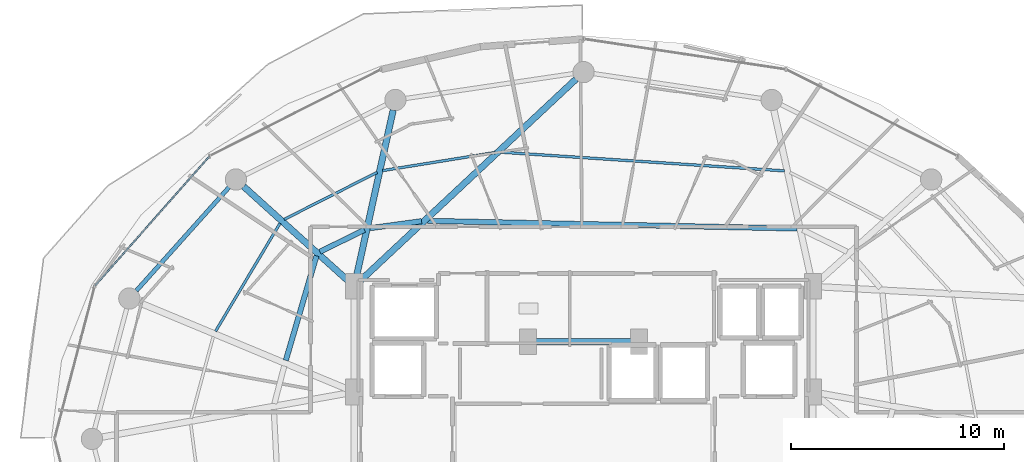
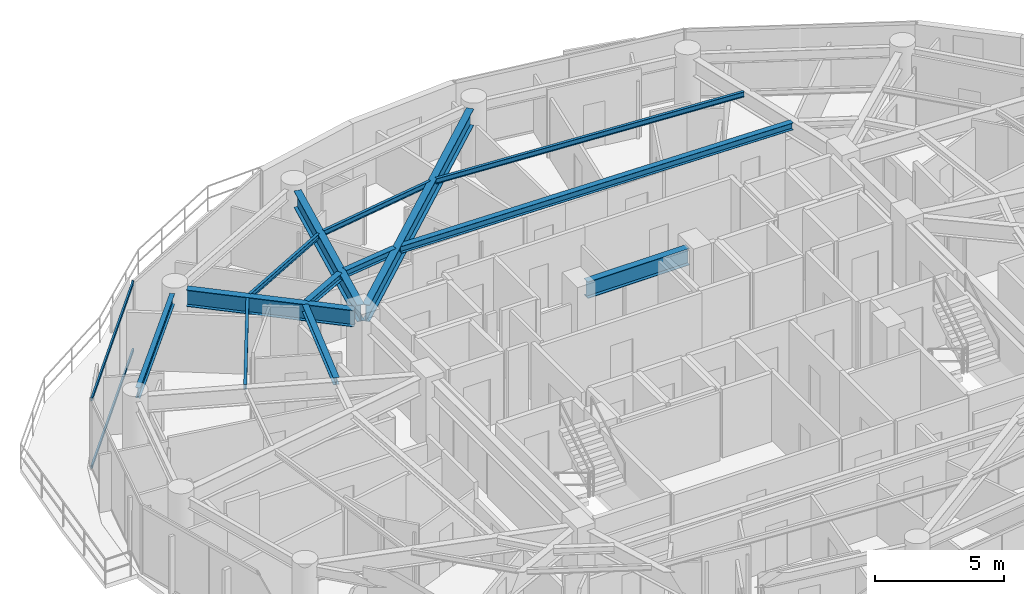
# One storey, part 10 of 30: 13 beams, 2 members, 1 element without a shape of its own.
"""IFC4 building model written with IfcOpenShell, lengths in metres."""

from ifc_helpers import new_model, si_unit, direction, frame, origin, origin_2d, place, context, subcontext, project, spatial, hollow_rectangle, i_section, extrude, material, material_profile, profile_set, type_object, element, aggregate, save


model = new_model("IFC4")

# Units and contexts
model_context = context("Model", 3, precision=1e-05, world=origin(), true_north=direction((0.0, 1.0)))
body_context = subcontext(model_context, "Body", "Model", "MODEL_VIEW")
ifc_project = project(units=[si_unit("LENGTHUNIT", "METRE"), si_unit("AREAUNIT", "SQUARE_METRE"), si_unit("VOLUMEUNIT", "CUBIC_METRE"), si_unit("PLANEANGLEUNIT", "RADIAN"), si_unit("MASSUNIT", "GRAM", prefix="KILO")], contexts=[model_context])

# Site, building, storey
site_placement = place(None, origin())
site = spatial("IfcSite", under=ifc_project, at=site_placement, CompositionType="ELEMENT")
building_placement = place(site_placement, origin())
building = spatial("IfcBuilding", under=site, at=building_placement, Name="Vorneva Point Tower", CompositionType="ELEMENT")
storey_placement = place(building_placement, frame((0.0, 0.0, 153.60009765625)))
storey = spatial("IfcBuildingStorey", under=building, at=storey_placement, Name="L41", CompositionType="ELEMENT", Elevation=153.60009765625)

# Beams
ifc_material_1 = material(Name="Steel S355", Category="steel")
ifc_material_profile_1 = material_profile(ifc_material_1, i_section(OverallWidth=0.300048828125, OverallDepth=0.7880859375, WebThickness=0.014404296875, FlangeThickness=0.02197265625, at=origin_2d()), Name="80Sh1")
ifc_profile_set_1 = profile_set([ifc_material_profile_1], Name="Steel S355")
beam_type_1 = type_object("IfcBeamType", Name="BM-GRD-80Sh1", PredefinedType="USERDEFINED", material=ifc_profile_set_1)
beam_1_placement = place(storey_placement, frame((37.6435546875, 42.86669921875, 2.845947265625), z_axis=(-0.730490907119, -0.682922422107, 0.0), x_axis=(0.682922422107, -0.730490907119, 0.0)))
element("IfcBeam", 1, at=beam_1_placement, inside=storey, type_object=beam_type_1, Name="L41 Radial Primary Girder 05", ObjectType="GIRDER", PredefinedType="USERDEFINED", context=body_context, shape_type="SweptSolid", body=[
    extrude(i_section(OverallWidth=0.300048828125, OverallDepth=0.7880859375, WebThickness=0.014404296875, FlangeThickness=0.02197265625, at=origin_2d()), origin(), (0.0, 0.0, 1.0), 13.88818359375),
])
beam_2_placement = place(storey_placement, frame((29.073974609375, 41.414306640625, 2.845947265625), z_axis=(-0.215520500859, -0.976499315775, 0.0), x_axis=(0.976499315775, -0.215520500859, 0.0)))
element("IfcBeam", 2, at=beam_2_placement, inside=storey, type_object=beam_type_1, Name="L41 Radial Primary Girder 06", ObjectType="GIRDER", PredefinedType="USERDEFINED", context=body_context, shape_type="SweptSolid", body=[
    extrude(i_section(OverallWidth=0.300048828125, OverallDepth=0.7880859375, WebThickness=0.014404296875, FlangeThickness=0.02197265625, at=origin_2d()), origin(), (0.0, 0.0, 1.0), 8.123291015625),
])
beam_3_placement = place(storey_placement, frame((22.063232421875, 37.835205078125, 2.845947265625), z_axis=(0.742084379637, -0.670306477292, 0.0), x_axis=(0.670306477292, 0.742084379637, 0.0)))
element("IfcBeam", 3, at=beam_3_placement, inside=storey, type_object=beam_type_1, Name="L41 Radial Primary Girder 07", ObjectType="GIRDER", PredefinedType="USERDEFINED", context=body_context, shape_type="SweptSolid", body=[
    extrude(i_section(OverallWidth=0.300048828125, OverallDepth=0.7880859375, WebThickness=0.014404296875, FlangeThickness=0.02197265625, at=origin_2d()), origin(), (0.0, 0.0, 1.0), 6.649658203125),
])
beam_4_placement = place(storey_placement, frame((35.719970703125, 30.550048828125, 2.845947265625), z_axis=(1.0, 0.0, 0.0), x_axis=(0.0, 1.0, 0.0)))
element("IfcBeam", 4, at=beam_4_placement, inside=storey, type_object=beam_type_1, Name="L41 Core Tie Girder CT8", ObjectType="GIRDER", PredefinedType="USERDEFINED", context=body_context, shape_type="SweptSolid", body=[
    extrude(i_section(OverallWidth=0.300048828125, OverallDepth=0.7880859375, WebThickness=0.014404296875, FlangeThickness=0.02197265625, at=origin_2d()), origin(), (0.0, 0.0, 1.0), 4.56005859375),
])
ifc_material_profile_2 = material_profile(ifc_material_1, i_section(OverallWidth=0.1240234375, OverallDepth=0.248046875, WebThickness=0.0048828125, FlangeThickness=0.008056640625, at=origin_2d()), Name="25B1")
ifc_profile_set_2 = profile_set([ifc_material_profile_2], Name="Steel S355")
beam_type_2 = type_object("IfcBeamType", Name="BM-JST-25B1", PredefinedType="JOIST", material=ifc_profile_set_2)
beam_5_placement = place(storey_placement, frame((47.418701171875, 38.567626953125, 3.115966796875), z_axis=(-0.997837165049, 0.065734253217, 0.0), x_axis=(-0.065734253217, -0.997837165049, 0.0)))
element("IfcBeam", 5, at=beam_5_placement, inside=storey, type_object=beam_type_2, Name="L41 Secondary Floor Beam 1.04", PredefinedType="JOIST", context=body_context, shape_type="SweptSolid", body=[
    extrude(i_section(OverallWidth=0.1240234375, OverallDepth=0.248046875, WebThickness=0.0048828125, FlangeThickness=0.008056640625, at=origin_2d()), origin(), (0.0, 0.0, 1.0), 13.318603515625),
])
beam_6_placement = place(storey_placement, frame((33.85498046875, 39.430419921875, 3.115966796875), z_axis=(-0.987269836001, -0.159054301806, 0.0), x_axis=(0.159054301806, -0.987269836001, 0.0)))
element("IfcBeam", 6, at=beam_6_placement, inside=storey, type_object=beam_type_2, Name="L41 Secondary Floor Beam 1.05", PredefinedType="JOIST", context=body_context, shape_type="SweptSolid", body=[
    extrude(i_section(OverallWidth=0.1240234375, OverallDepth=0.248046875, WebThickness=0.0048828125, FlangeThickness=0.008056640625, at=origin_2d()), origin(), (0.0, 0.0, 1.0), 5.34326171875),
])
beam_7_placement = place(storey_placement, frame((28.320556640625, 38.496337890625, 3.115966796875), z_axis=(-0.892388118376, -0.451268707292, 0.0), x_axis=(0.451268707292, -0.892388118376, 0.0)))
element("IfcBeam", 7, at=beam_7_placement, inside=storey, type_object=beam_type_2, Name="L41 Secondary Floor Beam 1.06", PredefinedType="JOIST", context=body_context, shape_type="SweptSolid", body=[
    extrude(i_section(OverallWidth=0.1240234375, OverallDepth=0.248046875, WebThickness=0.0048828125, FlangeThickness=0.008056640625, at=origin_2d()), origin(), (0.0, 0.0, 1.0), 4.883056640625),
])
beam_8_placement = place(storey_placement, frame((23.768798828125, 36.112060546875, 3.115966796875), z_axis=(-0.512582119722, -0.858638207012, 0.0), x_axis=(0.858638207012, -0.512582119722, 0.0)))
element("IfcBeam", 8, at=beam_8_placement, inside=storey, type_object=beam_type_2, Name="L41 Secondary Floor Beam 1.07", PredefinedType="JOIST", context=body_context, shape_type="SweptSolid", body=[
    extrude(i_section(OverallWidth=0.1240234375, OverallDepth=0.248046875, WebThickness=0.0048828125, FlangeThickness=0.008056640625, at=origin_2d()), origin(), (0.0, 0.0, 1.0), 5.89501953125),
])
ifc_material_profile_3 = material_profile(ifc_material_1, i_section(OverallWidth=0.2490234375, OverallDepth=0.333984375, WebThickness=0.008056640625, FlangeThickness=0.010986328125, at=origin_2d()), Name="35Sh1")
ifc_profile_set_3 = profile_set([ifc_material_profile_3], Name="Steel S355")
beam_type_3 = type_object("IfcBeamType", Name="BM-SEC-35Sh1", PredefinedType="BEAM", material=ifc_profile_set_3)
beam_9_placement = place(storey_placement, frame((48.013427734375, 35.864501953125, 3.072998046875), z_axis=(-0.999784264677, 0.020770751154, 0.0), x_axis=(-0.020770751154, -0.999784264677, 0.0)))
element("IfcBeam", 9, at=beam_9_placement, inside=storey, type_object=beam_type_3, Name="L41 Secondary Floor Beam 2.04", PredefinedType="BEAM", context=body_context, shape_type="SweptSolid", body=[
    extrude(i_section(OverallWidth=0.2490234375, OverallDepth=0.333984375, WebThickness=0.008056640625, FlangeThickness=0.010986328125, at=origin_2d()), origin(), (0.0, 0.0, 1.0), 17.337158203125),
])
beam_10_placement = place(storey_placement, frame((30.4052734375, 36.208984375, 3.072998046875), z_axis=(-0.990893925695, -0.13464482174, 0.0), x_axis=(0.13464482174, -0.990893925695, 0.0)))
element("IfcBeam", 10, at=beam_10_placement, inside=storey, type_object=beam_type_3, Name="L41 Secondary Floor Beam 2.05", PredefinedType="BEAM", context=body_context, shape_type="SweptSolid", body=[
    extrude(i_section(OverallWidth=0.2490234375, OverallDepth=0.333984375, WebThickness=0.008056640625, FlangeThickness=0.010986328125, at=origin_2d()), origin(), (0.0, 0.0, 1.0), 2.4423828125),
])
beam_11_placement = place(storey_placement, frame((27.724609375, 35.80078125, 3.072998046875), z_axis=(-0.897310370884, -0.441400156664, 0.0), x_axis=(0.441400156664, -0.897310370884, 0.0)))
element("IfcBeam", 11, at=beam_11_placement, inside=storey, type_object=beam_type_3, Name="L41 Secondary Floor Beam 2.06", PredefinedType="BEAM", context=body_context, shape_type="SweptSolid", body=[
    extrude(i_section(OverallWidth=0.2490234375, OverallDepth=0.333984375, WebThickness=0.008056640625, FlangeThickness=0.010986328125, at=origin_2d()), origin(), (0.0, 0.0, 1.0), 2.322021484375),
])
beam_12_placement = place(storey_placement, frame((25.478515625, 34.58251953125, 3.072998046875), z_axis=(-0.28157099182, -0.95954039861, 0.0), x_axis=(0.95954039861, -0.28157099182, 0.0)))
element("IfcBeam", 12, at=beam_12_placement, inside=storey, type_object=beam_type_3, Name="L41 Secondary Floor Beam 2.07", PredefinedType="BEAM", context=body_context, shape_type="SweptSolid", body=[
    extrude(i_section(OverallWidth=0.2490234375, OverallDepth=0.333984375, WebThickness=0.008056640625, FlangeThickness=0.010986328125, at=origin_2d()), origin(), (0.0, 0.0, 1.0), 5.10693359375),
])
ifc_material_profile_4 = material_profile(ifc_material_1, i_section(OverallWidth=0.199951171875, OverallDepth=0.491943359375, WebThickness=0.0087890625, FlangeThickness=0.011962890625, at=origin_2d()), Name="50B1")
ifc_profile_set_4 = profile_set([ifc_material_profile_4], Name="Steel S355")
beam_type_4 = type_object("IfcBeamType", Name="BM-SPN-50B1", PredefinedType="SPANDREL", material=ifc_profile_set_4)
beam_13_placement = place(storey_placement, frame((21.377685546875, 37.80078125, 2.993896484375), z_axis=(-0.667111118975, -0.74495822362, 0.0), x_axis=(0.74495822362, -0.667111118975, 0.0)))
element("IfcBeam", 13, at=beam_13_placement, inside=storey, type_object=beam_type_4, Name="L41 Perimeter Spandrel Ring Beam 07", PredefinedType="SPANDREL", context=body_context, shape_type="SweptSolid", body=[
    extrude(i_section(OverallWidth=0.199951171875, OverallDepth=0.491943359375, WebThickness=0.0087890625, FlangeThickness=0.011962890625, at=origin_2d()), origin(), (0.0, 0.0, 1.0), 6.52001953125),
])

# Curtain wall, members
ifc_material_2 = material(Name="Pale anodised aluminium", Category="aluminium")
curtain_wall_type = type_object("IfcCurtainWallType", Name="CW-RES-SYS", PredefinedType="NOTDEFINED", material=ifc_material_2)
curtain_wall_placement = place(storey_placement, origin())
curtain_wall = element("IfcCurtainWall", 14, at=curtain_wall_placement, inside=storey, type_object=curtain_wall_type, Name="L41 Unitised Curtain Wall CW-L41-R03", PredefinedType="NOTDEFINED")
ifc_material_profile_5 = material_profile(ifc_material_2, hollow_rectangle(XDim=0.074951171875, YDim=0.14990234375, WallThickness=0.00390625, at=origin_2d()), Name="AL-TRN 150x75x4")
ifc_profile_set_5 = profile_set([ifc_material_profile_5], Name="Pale anodised aluminium")
member_type = type_object("IfcMemberType", Name="CW-TRN-150", PredefinedType="USERDEFINED", material=ifc_profile_set_5)
member_1_placement = place(storey_placement, frame((20.4638671875, 39.25830078125, 0.02001953125), z_axis=(-0.662218216609, -0.749311039283, 0.0), x_axis=(0.749311039283, -0.662218216609, 0.0)))
member_1 = element("IfcMember", 15, at=member_1_placement, type_object=member_type, Name="CW-L41-R03 Transom 02.1", ObjectType="TRANSOM", PredefinedType="USERDEFINED", context=body_context, shape_type="SweptSolid", body=[
    extrude(hollow_rectangle(XDim=0.074951171875, YDim=0.14990234375, WallThickness=0.00390625, at=origin_2d()), origin(), (0.0, 0.0, 1.0), 8.1181640625),
])
member_2_placement = place(storey_placement, frame((20.4638671875, 39.25830078125, 3.219970703125), z_axis=(-0.662218216609, -0.749311039283, 0.0), x_axis=(0.749311039283, -0.662218216609, 0.0)))
member_2 = element("IfcMember", 16, at=member_2_placement, type_object=member_type, Name="CW-L41-R03 Transom 02.2", ObjectType="TRANSOM", PredefinedType="USERDEFINED", context=body_context, shape_type="SweptSolid", body=[
    extrude(hollow_rectangle(XDim=0.074951171875, YDim=0.14990234375, WallThickness=0.00390625, at=origin_2d()), origin(), (0.0, 0.0, 1.0), 8.1181640625),
])
aggregate(curtain_wall, [member_1, member_2])

save(model, "model.ifc")
